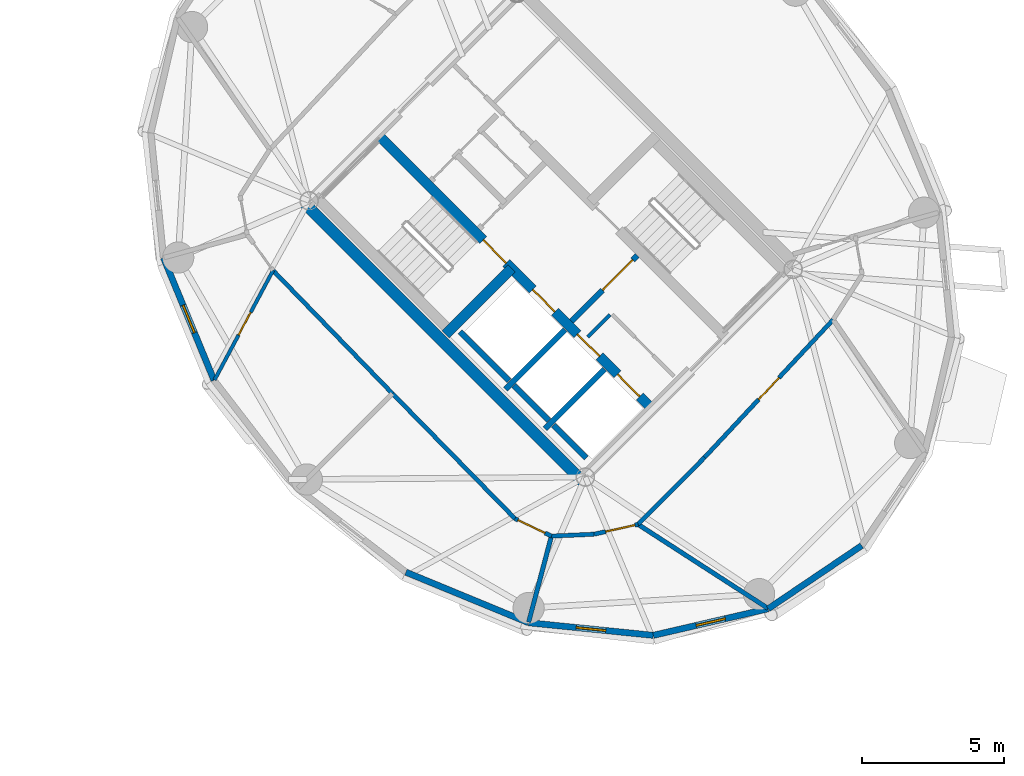
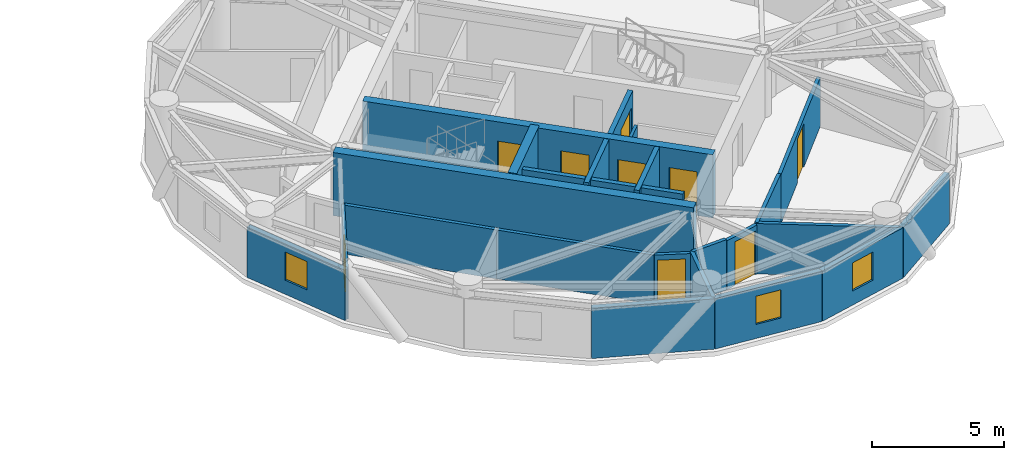
# One storey, part 11 of 17: 25 walls, 9 doors, 3 windows, 12 openings.
"""IFC4 building model written with IfcOpenShell, lengths in metres."""

from ifc_helpers import new_model, si_unit, direction, frame, frame_2d, origin, place, context, subcontext, project, spatial, rectangle, extrude, source, transform, mapped, material, layer, layer_set, type_object, element, fill, save


model = new_model("IFC4")

# Units and contexts
model_context = context("Model", 3, precision=1e-05, world=origin(), true_north=direction((0.0, 1.0)))
body_context = subcontext(model_context, "Body", "Model", "MODEL_VIEW")
ifc_project = project(units=[si_unit("LENGTHUNIT", "METRE"), si_unit("AREAUNIT", "SQUARE_METRE"), si_unit("VOLUMEUNIT", "CUBIC_METRE"), si_unit("PLANEANGLEUNIT", "RADIAN"), si_unit("MASSUNIT", "GRAM", prefix="KILO")], contexts=[model_context])

# Site, building, storey
site_placement = place(None, origin())
site = spatial("IfcSite", under=ifc_project, at=site_placement, CompositionType="ELEMENT")
building_placement = place(site_placement, origin())
building = spatial("IfcBuilding", under=site, at=building_placement, Name="Cununo Teusaquillo Station Towers", CompositionType="ELEMENT")
storey_placement = place(building_placement, frame((0.0, 0.0, 205.389892578125)))
storey = spatial("IfcBuildingStorey", under=building, at=storey_placement, Name="L65", CompositionType="ELEMENT", Elevation=205.389892578125)

# Walls
ifc_material_1 = material(Name="Concrete C50/60", Category="concrete")
ifc_layer_1 = layer(ifc_material_1, 0.199951171875)
ifc_layer_set_1 = layer_set([ifc_layer_1], Name="Concrete C50/60")
wall_type_1 = type_object("IfcWallType", Name="WL-CORE-200", PredefinedType="SHEAR", material=ifc_layer_set_1)
wall_1_placement = place(storey_placement, frame((55.8876953125, 19.0693359375, 0.0), z_axis=(0.0, 0.0, 1.0), x_axis=(0.707106781187, 0.707106781187, 0.0)))
element("IfcWall", 1, at=wall_1_placement, inside=storey, type_object=wall_type_1, Name="L65 Tower B Firefighting Lift Shaft South Shear Wall", PredefinedType="SHEAR", context=body_context, shape_type="SweptSolid", body=[
    extrude(rectangle(XDim=2.969970703125, YDim=0.199951171875, at=frame_2d((1.48486328125, 0.0))), origin(), (0.0, 0.0, 1.0), 2.91015625),
])
wall_2_placement = place(storey_placement, frame((56.01513671875, 19.366455078125, 0.0), z_axis=(0.0, 0.0, 1.0), x_axis=(-0.707106781187, 0.707106781187, 0.0)))
element("IfcWall", 2, at=wall_2_placement, inside=storey, type_object=wall_type_1, Name="L65 Tower B Firefighting Lift Shaft Rear Shear Wall", PredefinedType="SHEAR", context=body_context, shape_type="SweptSolid", body=[
    extrude(rectangle(XDim=2.43994140625, YDim=0.199951171875, at=frame_2d((1.219970703125, 0.0))), origin(), (0.0, 0.0, 1.0), 2.91015625),
])
wall_3_placement = place(storey_placement, frame((57.2841796875, 17.6728515625, 0.0), z_axis=(0.0, 0.0, 1.0), x_axis=(0.707147878904, 0.70706568108, 0.0)))
element("IfcWall", 3, at=wall_3_placement, inside=storey, type_object=wall_type_1, Name="L65 Tower B High-Rise Lift Hoistway Divider Shear Wall", PredefinedType="SHEAR", context=body_context, shape_type="SweptSolid", body=[
    extrude(rectangle(XDim=2.97021484375, YDim=0.199951171875, at=frame_2d((1.485107421875, 0.0))), origin(), (0.0, 0.0, 1.0), 2.91015625),
])
wall_4_placement = place(storey_placement, frame((57.41162109375, 17.969970703125, 0.0), z_axis=(0.0, 0.0, 1.0), x_axis=(-0.707106781187, 0.707106781187, 0.0)))
element("IfcWall", 4, at=wall_4_placement, inside=storey, type_object=wall_type_1, Name="L65 Tower B High-Rise Lift 2 Shaft Rear Shear Wall", PredefinedType="SHEAR", context=body_context, shape_type="SweptSolid", body=[
    extrude(rectangle(XDim=1.73486328125, YDim=0.199951171875, at=frame_2d((0.867431640625, 0.0))), origin(), (0.0, 0.0, 1.0), 2.91015625),
])
wall_5_placement = place(storey_placement, frame((58.7373046875, 16.64404296875, 0.0), z_axis=(0.0, 0.0, 1.0), x_axis=(-0.707032117043, 0.707181437447, 0.0)))
element("IfcWall", 5, at=wall_5_placement, inside=storey, type_object=wall_type_1, Name="L65 Tower B High-Rise Lift 1 Shaft Rear Shear Wall", PredefinedType="SHEAR", context=body_context, shape_type="SweptSolid", body=[
    extrude(rectangle(XDim=1.635009765625, YDim=0.199951171875, at=frame_2d((0.8173828125, 0.0))), origin(), (0.0, 0.0, 1.0), 2.91015625),
])

# Wall, openings, doors
ifc_material_2 = material(Name="Concrete C50/60", Category="concrete")
ifc_layer_2 = layer(ifc_material_2, 0.35009765625)
ifc_layer_set_2 = layer_set([ifc_layer_2], Name="Concrete C50/60")
wall_type_2 = type_object("IfcWallType", Name="WL-CORE-350", PredefinedType="SHEAR", material=ifc_layer_set_2)
wall_6_placement = place(storey_placement, frame((61.060302734375, 18.372802734375, 0.0), z_axis=(0.0, 0.0, 1.0), x_axis=(-0.707106781187, 0.707106781187, 0.0)))
wall_6 = element("IfcWall", 6, at=wall_6_placement, inside=storey, type_object=wall_type_2, Name="L65 Tower B Core Shear Wall IW", PredefinedType="SHEAR", context=body_context, shape_type="SweptSolid", body=[
    extrude(rectangle(XDim=13.7001953125, YDim=0.35009765625, at=frame_2d((6.85009765625, 0.0))), origin(), (0.0, 0.0, 1.0), 2.91015625),
])
shared_shape_1 = source(origin(), body_context, "Body", "SweptSolid", [
    extrude(rectangle(XDim=1.10009765625, YDim=2.014892578125, at=frame_2d((0.550048828125, 1.00732421875))), frame((0.0, 0.18505859375, 0.0), z_axis=(0.0, -1.0, 0.0), x_axis=(1.0, 0.0, 0.0)), (0.0, 0.0, 1.0), 0.3701171875),
])
opening_1_placement = place(wall_6_placement, frame((4.85009765625, 0.0, 0.0)))
opening_1 = element("IfcOpeningElement", 7, at=opening_1_placement, cuts=wall_6, Name="Opening LD-01", PredefinedType="OPENING", context=body_context, shape_type="MappedRepresentation", body=[
    mapped(shared_shape_1, transform((0.0, 0.0, 0.0), x_axis=(1.0, 0.0, 0.0), y_axis=(0.0, 1.0, 0.0), z_axis=(0.0, 0.0, 1.0), scale=1.0)),
])
opening_2_placement = place(wall_6_placement, frame((0.625, 0.0, 0.0)))
opening_2 = element("IfcOpeningElement", 8, at=opening_2_placement, cuts=wall_6, Name="Opening LD-01", PredefinedType="OPENING", context=body_context, shape_type="MappedRepresentation", body=[
    mapped(shared_shape_1, transform((0.0, 0.0, 0.0), x_axis=(1.0, 0.0, 0.0), y_axis=(0.0, 1.0, 0.0), z_axis=(0.0, 0.0, 1.0), scale=1.0)),
])
opening_3_placement = place(wall_6_placement, frame((2.625, 0.0, 0.0)))
opening_3 = element("IfcOpeningElement", 9, at=opening_3_placement, cuts=wall_6, Name="Opening LD-01", PredefinedType="OPENING", context=body_context, shape_type="MappedRepresentation", body=[
    mapped(shared_shape_1, transform((0.0, 0.0, 0.0), x_axis=(1.0, 0.0, 0.0), y_axis=(0.0, 1.0, 0.0), z_axis=(0.0, 0.0, 1.0), scale=1.0)),
])
shared_shape_2 = source(origin(), body_context, "Body", "SweptSolid", [
    extrude(rectangle(XDim=1.14990234375, YDim=2.02001953125, at=frame_2d((0.574951171875, 1.010009765625))), frame((0.0, 0.18505859375, 0.0), z_axis=(0.0, -1.0, 0.0), x_axis=(1.0, 0.0, 0.0)), (0.0, 0.0, 1.0), 0.3701171875),
])
opening_4_placement = place(wall_6_placement, frame((7.27001953125, 0.0, 0.0)))
opening_4 = element("IfcOpeningElement", 10, at=opening_4_placement, cuts=wall_6, Name="Opening D-ST1", PredefinedType="OPENING", context=body_context, shape_type="MappedRepresentation", body=[
    mapped(shared_shape_2, transform((0.0, 0.0, 0.0), x_axis=(1.0, 0.0, 0.0), y_axis=(0.0, 1.0, 0.0), z_axis=(0.0, 0.0, 1.0), scale=1.0)),
])
ifc_material_3 = material(Name="Galvanised fire-rated hollow steel door assembly", Category="steel")
door_type_1 = type_object("IfcDoorType", Name="DR-LIFT-1100", OperationType="SLIDING_TO_LEFT", PredefinedType="DOOR", material=ifc_material_3)
shared_shape_3 = source(origin(), body_context, "Body", "SweptSolid", [
    extrude(rectangle(XDim=1.10009765625, YDim=2.014892578125, at=frame_2d((0.550048828125, 1.00732421875))), frame((0.0, 0.02490234375, 0.0), z_axis=(0.0, -1.0, 0.0), x_axis=(1.0, 0.0, 0.0)), (0.0, 0.0, 1.0), 0.050048828125),
])
door_1_placement = place(opening_1_placement, origin())
door_1 = element("IfcDoor", 11, at=door_1_placement, inside=storey, type_object=door_type_1, Name="L65 Lift FL-T2 Sliding Landing Door", OperationType="SLIDING_TO_LEFT", OverallHeight=2.014892578125, OverallWidth=1.10009765625, PredefinedType="DOOR", context=body_context, shape_type="MappedRepresentation", body=[
    mapped(shared_shape_3, transform((0.0, 0.0, 0.0), x_axis=(1.0, 0.0, 0.0), y_axis=(0.0, 1.0, 0.0), z_axis=(0.0, 0.0, 1.0), scale=1.0)),
])
fill(opening_1, door_1)
door_2_placement = place(opening_2_placement, origin())
door_2 = element("IfcDoor", 12, at=door_2_placement, inside=storey, type_object=door_type_1, Name="L65 Lift PL-T2-H1 Sliding Landing Door", OperationType="SLIDING_TO_LEFT", OverallHeight=2.014892578125, OverallWidth=1.10009765625, PredefinedType="DOOR", context=body_context, shape_type="MappedRepresentation", body=[
    mapped(shared_shape_3, transform((0.0, 0.0, 0.0), x_axis=(1.0, 0.0, 0.0), y_axis=(0.0, 1.0, 0.0), z_axis=(0.0, 0.0, 1.0), scale=1.0)),
])
fill(opening_2, door_2)
door_3_placement = place(opening_3_placement, origin())
door_3 = element("IfcDoor", 13, at=door_3_placement, inside=storey, type_object=door_type_1, Name="L65 Lift PL-T2-H2 Sliding Landing Door", OperationType="SLIDING_TO_RIGHT", OverallHeight=2.014892578125, OverallWidth=1.10009765625, PredefinedType="DOOR", context=body_context, shape_type="MappedRepresentation", body=[
    mapped(shared_shape_3, transform((0.0, 0.0, 0.0), x_axis=(1.0, 0.0, 0.0), y_axis=(0.0, 1.0, 0.0), z_axis=(0.0, 0.0, 1.0), scale=1.0)),
])
fill(opening_3, door_3)
ifc_material_4 = material(Name="Galvanised fire-rated hollow steel door assembly", Category="steel")
door_type_2 = type_object("IfcDoorType", Name="DR-STAIR-1150", OperationType="NOTDEFINED", PredefinedType="DOOR", material=ifc_material_4)
shared_shape_4 = source(origin(), body_context, "Body", "SweptSolid", [
    extrude(rectangle(XDim=1.14990234375, YDim=2.02001953125, at=frame_2d((0.574951171875, 1.010009765625))), frame((0.0, 0.02490234375, 0.0), z_axis=(0.0, -1.0, 0.0), x_axis=(1.0, 0.0, 0.0)), (0.0, 0.0, 1.0), 0.050048828125),
])
door_4_placement = place(opening_4_placement, origin())
door_4 = element("IfcDoor", 14, at=door_4_placement, inside=storey, type_object=door_type_2, Name="L65 Tower B Exit Stair 1 Fire Door", OperationType="SINGLE_SWING_LEFT", OverallHeight=2.02001953125, OverallWidth=1.14990234375, PredefinedType="DOOR", context=body_context, shape_type="MappedRepresentation", body=[
    mapped(shared_shape_4, transform((0.0, 0.0, 0.0), x_axis=(1.0, 0.0, 0.0), y_axis=(0.0, 1.0, 0.0), z_axis=(0.0, 0.0, 1.0), scale=1.0)),
])
fill(opening_4, door_4)

# Walls
wall_7_placement = place(storey_placement, frame((53.7841796875, 21.00341796875, 0.0), z_axis=(0.0, 0.0, 1.0), x_axis=(0.707106781187, 0.707106781187, 0.0)))
element("IfcWall", 15, at=wall_7_placement, inside=storey, type_object=wall_type_2, Name="L65 Tower B Core Shear Wall ST1S", PredefinedType="SHEAR", context=body_context, shape_type="SweptSolid", body=[
    extrude(rectangle(XDim=3.284912109375, YDim=0.35009765625, at=frame_2d((1.642578125, 0.0))), origin(), (0.0, 0.0, 1.0), 2.91015625),
])
ifc_material_5 = material(Name="Concrete C50/60", Category="concrete")
ifc_layer_3 = layer(ifc_material_5, 0.39990234375)
ifc_layer_set_3 = layer_set([ifc_layer_3], Name="Concrete C50/60")
wall_type_3 = type_object("IfcWallType", Name="WL-CORE-400", PredefinedType="SHEAR", material=ifc_layer_set_3)
wall_8_placement = place(storey_placement, frame((58.7021484375, 15.73193359375, 0.0), z_axis=(0.0, 0.0, 1.0), x_axis=(-0.707106781187, 0.707106781187, 0.0)))
element("IfcWall", 16, at=wall_8_placement, inside=storey, type_object=wall_type_3, Name="L65 Tower B Core Shear Wall W", PredefinedType="SHEAR", context=body_context, shape_type="SweptSolid", body=[
    extrude(rectangle(XDim=14.10009765625, YDim=0.39990234375, at=frame_2d((7.050048828125, 0.0))), origin(), (0.0, 0.0, 1.0), 2.91015625),
])

# Wall, opening, window
ifc_material_6 = material(Name="Precast concrete C40/50", Category="concrete")
ifc_layer_4 = layer(ifc_material_6, 0.219970703125)
ifc_layer_set_4 = layer_set([ifc_layer_4], Name="Precast concrete C40/50")
wall_type_4 = type_object("IfcWallType", Name="WL-EXT-220", PredefinedType="SOLIDWALL", material=ifc_layer_set_4)
wall_9_placement = place(storey_placement, frame((45.626220703125, 19.38671875, 0.0), z_axis=(0.0, 0.0, 1.0), x_axis=(-0.381309704956, 0.924447353237, 0.0)))
wall_9 = element("IfcWall", 17, at=wall_9_placement, inside=storey, type_object=wall_type_4, Name="L65 Tower B Exterior Facade Wall C08", PredefinedType="SOLIDWALL", context=body_context, shape_type="SweptSolid", body=[
    extrude(rectangle(XDim=4.670654296875, YDim=0.219970703125, at=frame_2d((2.33544921875, 0.0))), origin(), (0.0, 0.0, 1.0), 2.322021484375),
])
shared_shape_5 = source(origin(), body_context, "Body", "SweptSolid", [
    extrude(rectangle(XDim=1.050048828125, YDim=1.300048828125, at=frame_2d((0.52490234375, 0.64990234375))), frame((0.0, 0.119873046875, 0.0), z_axis=(0.0, -1.0, 0.0), x_axis=(1.0, 0.0, 0.0)), (0.0, 0.0, 1.0), 0.239990234375),
])
opening_5_placement = place(wall_9_placement, frame((1.81005859375, 0.0, 0.64990234375)))
opening_5 = element("IfcOpeningElement", 18, at=opening_5_placement, cuts=wall_9, Name="Opening WN-04", PredefinedType="OPENING", context=body_context, shape_type="MappedRepresentation", body=[
    mapped(shared_shape_5, transform((0.0, 0.0, 0.0), x_axis=(1.0, 0.0, 0.0), y_axis=(0.0, 1.0, 0.0), z_axis=(0.0, 0.0, 1.0), scale=1.0)),
])
ifc_material_7 = material(Name="Operable acoustic tinted low-E double glazing", Category="glass")
window_type = type_object("IfcWindowType", Name="WIN-BAL-1050", PartitioningType="SINGLE_PANEL", PredefinedType="WINDOW", material=ifc_material_7)
shared_shape_6 = source(origin(), body_context, "Body", "SweptSolid", [
    extrude(rectangle(XDim=1.050048828125, YDim=1.300048828125, at=frame_2d((0.52490234375, 0.64990234375))), frame((0.0, 0.030029296875, 0.0), z_axis=(0.0, -1.0, 0.0), x_axis=(1.0, 0.0, 0.0)), (0.0, 0.0, 1.0), 0.06005859375),
])
window_1_placement = place(opening_5_placement, origin())
window_1 = element("IfcWindow", 19, at=window_1_placement, inside=storey, type_object=window_type, Name="L65 Tower B Facade Window C08", OverallHeight=1.300048828125, OverallWidth=1.050048828125, PartitioningType="SINGLE_PANEL", PredefinedType="WINDOW", context=body_context, shape_type="MappedRepresentation", body=[
    mapped(shared_shape_6, transform((0.0, 0.0, 0.0), x_axis=(1.0, 0.0, 0.0), y_axis=(0.0, 1.0, 0.0), z_axis=(0.0, 0.0, 1.0), scale=1.0)),
])
fill(opening_5, window_1)

# Wall
wall_10_placement = place(storey_placement, frame((56.70458984375, 10.84521484375, 0.0), z_axis=(0.0, 0.0, 1.0), x_axis=(-0.924447353237, 0.381309704956, 0.0)))
element("IfcWall", 20, at=wall_10_placement, inside=storey, type_object=wall_type_4, Name="L65 Tower B Exterior Facade Wall C11", PredefinedType="SOLIDWALL", context=body_context, shape_type="SweptSolid", body=[
    extrude(rectangle(XDim=4.670654296875, YDim=0.219970703125, at=frame_2d((2.33544921875, 0.0))), origin(), (0.0, 0.0, 1.0), 2.322021484375),
])

# Wall, opening, window
wall_11_placement = place(storey_placement, frame((61.100341796875, 10.40087890625, 0.0), z_axis=(0.0, 0.0, 1.0), x_axis=(-0.994929930991, 0.100570534541, 0.0)))
wall_11 = element("IfcWall", 21, at=wall_11_placement, inside=storey, type_object=wall_type_4, Name="L65 Tower B Exterior Facade Wall C12", PredefinedType="SOLIDWALL", context=body_context, shape_type="SweptSolid", body=[
    extrude(rectangle(XDim=4.418212890625, YDim=0.219970703125, at=frame_2d((2.208984375, 0.0))), origin(), (0.0, 0.0, 1.0), 2.322021484375),
])
opening_6_placement = place(wall_11_placement, frame((1.68408203125, 0.0, 0.64990234375)))
opening_6 = element("IfcOpeningElement", 22, at=opening_6_placement, cuts=wall_11, Name="Opening WN-04", PredefinedType="OPENING", context=body_context, shape_type="MappedRepresentation", body=[
    mapped(shared_shape_5, transform((0.0, 0.0, 0.0), x_axis=(1.0, 0.0, 0.0), y_axis=(0.0, 1.0, 0.0), z_axis=(0.0, 0.0, 1.0), scale=1.0)),
])
window_2_placement = place(opening_6_placement, origin())
window_2 = element("IfcWindow", 23, at=window_2_placement, inside=storey, type_object=window_type, Name="L65 Tower B Facade Window C12", OverallHeight=1.300048828125, OverallWidth=1.050048828125, PartitioningType="SINGLE_PANEL", PredefinedType="WINDOW", context=body_context, shape_type="MappedRepresentation", body=[
    mapped(shared_shape_6, transform((0.0, 0.0, 0.0), x_axis=(1.0, 0.0, 0.0), y_axis=(0.0, 1.0, 0.0), z_axis=(0.0, 0.0, 1.0), scale=1.0)),
])
fill(opening_6, window_2)

wall_12_placement = place(storey_placement, frame((65.143798828125, 11.336669921875, 0.0), z_axis=(0.0, 0.0, 1.0), x_axis=(-0.974249228678, -0.225473813158, 0.0)))
wall_12 = element("IfcWall", 24, at=wall_12_placement, inside=storey, type_object=wall_type_4, Name="L65 Tower B Exterior Facade Wall C13", PredefinedType="SOLIDWALL", context=body_context, shape_type="SweptSolid", body=[
    extrude(rectangle(XDim=4.150390625, YDim=0.219970703125, at=frame_2d((2.0751953125, 0.0))), origin(), (0.0, 0.0, 1.0), 2.322021484375),
])
opening_7_placement = place(wall_12_placement, frame((1.550048828125, 0.0, 0.64990234375)))
opening_7 = element("IfcOpeningElement", 25, at=opening_7_placement, cuts=wall_12, Name="Opening WN-04", PredefinedType="OPENING", context=body_context, shape_type="MappedRepresentation", body=[
    mapped(shared_shape_5, transform((0.0, 0.0, 0.0), x_axis=(1.0, 0.0, 0.0), y_axis=(0.0, 1.0, 0.0), z_axis=(0.0, 0.0, 1.0), scale=1.0)),
])
window_3_placement = place(opening_7_placement, origin())
window_3 = element("IfcWindow", 26, at=window_3_placement, inside=storey, type_object=window_type, Name="L65 Tower B Facade Window C13", OverallHeight=1.300048828125, OverallWidth=1.050048828125, PartitioningType="SINGLE_PANEL", PredefinedType="WINDOW", context=body_context, shape_type="MappedRepresentation", body=[
    mapped(shared_shape_6, transform((0.0, 0.0, 0.0), x_axis=(1.0, 0.0, 0.0), y_axis=(0.0, 1.0, 0.0), z_axis=(0.0, 0.0, 1.0), scale=1.0)),
])
fill(opening_7, window_3)

# Walls
wall_13_placement = place(storey_placement, frame((68.43896484375, 13.56103515625, 0.0), z_axis=(0.0, 0.0, 1.0), x_axis=(-0.828833723692, -0.559495003079, 0.0)))
element("IfcWall", 27, at=wall_13_placement, inside=storey, type_object=wall_type_4, Name="L65 Tower B Exterior Facade Wall C14", PredefinedType="SOLIDWALL", context=body_context, shape_type="SweptSolid", body=[
    extrude(rectangle(XDim=3.9755859375, YDim=0.219970703125, at=frame_2d((1.98779296875, 0.0))), origin(), (0.0, 0.0, 1.0), 2.322021484375),
])
ifc_material_8 = material(Name="Fire-rated gypsum plasterboard partition assembly", Category="gypsum")
ifc_layer_5 = layer(ifc_material_8, 0.125)
ifc_layer_set_5 = layer_set([ifc_layer_5], Name="Fire-rated gypsum plasterboard partition assembly")
wall_type_5 = type_object("IfcWallType", Name="WL-PART-125", PredefinedType="PARTITIONING", material=ifc_layer_set_5)
wall_14_placement = place(storey_placement, frame((58.7939453125, 20.9150390625, 0.0), z_axis=(0.0, 0.0, 1.0), x_axis=(0.707106781187, 0.707106781187, 0.0)))
element("IfcWall", 28, at=wall_14_placement, inside=storey, type_object=wall_type_5, Name="L65 Tower B South-West Tall Store North Wall", PredefinedType="PARTITIONING", context=body_context, shape_type="SweptSolid", body=[
    extrude(rectangle(XDim=1.10009765625, YDim=0.125, at=frame_2d((0.550048828125, 0.0))), origin(), (0.0, 0.0, 1.0), 2.68505859375),
])

# Wall, opening, door
wall_15_placement = place(storey_placement, frame((47.70556640625, 23.253173828125, 0.0), z_axis=(0.0, 0.0, 1.0), x_axis=(-0.471384756618, -0.881927667799, 0.0)))
wall_15 = element("IfcWall", 29, at=wall_15_placement, inside=storey, type_object=wall_type_5, Name="L65 Tower B Visiting Envoy Briefing Room Suite Subdividing Wall", PredefinedType="PARTITIONING", context=body_context, shape_type="SweptSolid", body=[
    extrude(rectangle(XDim=4.373779296875, YDim=0.125, at=frame_2d((2.18701171875, 0.0))), origin(), (0.0, 0.0, 1.0), 2.255126953125),
])
shared_shape_7 = source(origin(), body_context, "Body", "SweptSolid", [
    extrude(rectangle(XDim=0.89990234375, YDim=2.0048828125, at=frame_2d((0.449951171875, 1.00244140625))), frame((0.0, 0.072509765625, 0.0), z_axis=(0.0, -1.0, 0.0), x_axis=(1.0, 0.0, 0.0)), (0.0, 0.0, 1.0), 0.14501953125),
])
opening_8_placement = place(wall_15_placement, frame((1.673828125, 0.0, 0.0)))
opening_8 = element("IfcOpeningElement", 30, at=opening_8_placement, cuts=wall_15, Name="Opening D-IN1", PredefinedType="OPENING", context=body_context, shape_type="MappedRepresentation", body=[
    mapped(shared_shape_7, transform((0.0, 0.0, 0.0), x_axis=(1.0, 0.0, 0.0), y_axis=(0.0, 1.0, 0.0), z_axis=(0.0, 0.0, 1.0), scale=1.0)),
])
ifc_material_9 = material(Name="Acoustic solid-core hardwood leaf assembly", Category="wood")
door_type_3 = type_object("IfcDoorType", Name="DR-INT-900", OperationType="NOTDEFINED", PredefinedType="DOOR", material=ifc_material_9)
shared_shape_8 = source(origin(), body_context, "Body", "SweptSolid", [
    extrude(rectangle(XDim=0.89990234375, YDim=2.0048828125, at=frame_2d((0.449951171875, 1.00244140625))), frame((0.0, 0.02490234375, 0.0), z_axis=(0.0, -1.0, 0.0), x_axis=(1.0, 0.0, 0.0)), (0.0, 0.0, 1.0), 0.050048828125),
])
door_5_placement = place(opening_8_placement, origin())
door_5 = element("IfcDoor", 31, at=door_5_placement, inside=storey, type_object=door_type_3, Name="L65 Tower B Visiting Envoy Briefing Room Suite Connecting Door", OperationType="SINGLE_SWING_LEFT", OverallHeight=2.0048828125, OverallWidth=0.89990234375, PredefinedType="DOOR", context=body_context, shape_type="MappedRepresentation", body=[
    mapped(shared_shape_8, transform((0.0, 0.0, 0.0), x_axis=(1.0, 0.0, 0.0), y_axis=(0.0, 1.0, 0.0), z_axis=(0.0, 0.0, 1.0), scale=1.0)),
])
fill(opening_8, door_5)

# Walls
ifc_material_10 = material(Name="Fire-rated gypsum plasterboard partition assembly", Category="gypsum")
ifc_layer_6 = layer(ifc_material_10, 0.14990234375)
ifc_layer_set_6 = layer_set([ifc_layer_6], Name="Fire-rated gypsum plasterboard partition assembly")
wall_type_6 = type_object("IfcWallType", Name="WL-PART-150", PredefinedType="PARTITIONING", material=ifc_layer_set_6)
wall_16_placement = place(storey_placement, frame((47.70556640625, 23.253173828125, 0.0), z_axis=(0.0, 0.0, 1.0), x_axis=(0.696179266346, -0.717867974707, 0.0)))
element("IfcWall", 32, at=wall_16_placement, inside=storey, type_object=wall_type_6, Name="L65 Tower B Corridor Ring Wall C09", PredefinedType="PARTITIONING", context=body_context, shape_type="SweptSolid", body=[
    extrude(rectangle(XDim=6.044677734375, YDim=0.14990234375, at=frame_2d((3.0224609375, 0.0))), origin(), (0.0, 0.0, 1.0), 2.255126953125),
])
wall_17_placement = place(storey_placement, frame((51.913818359375, 18.913818359375, 0.0), z_axis=(0.0, 0.0, 1.0), x_axis=(0.699999313799, -0.714143515465, 0.0)))
element("IfcWall", 33, at=wall_17_placement, inside=storey, type_object=wall_type_6, Name="L65 Tower B Corridor Ring Wall C10", PredefinedType="PARTITIONING", context=body_context, shape_type="SweptSolid", body=[
    extrude(rectangle(XDim=6.162109375, YDim=0.14990234375, at=frame_2d((3.0810546875, 0.0))), origin(), (0.0, 0.0, 1.0), 2.255126953125),
])

# Wall, opening, door
wall_18_placement = place(storey_placement, frame((56.227294921875, 14.51318359375, 0.0), z_axis=(0.0, 0.0, 1.0), x_axis=(0.901477579283, -0.432825801044, 0.0)))
wall_18 = element("IfcWall", 34, at=wall_18_placement, inside=storey, type_object=wall_type_6, Name="L65 Tower B Corridor Ring Wall C11", PredefinedType="PARTITIONING", context=body_context, shape_type="SweptSolid", body=[
    extrude(rectangle(XDim=1.42431640625, YDim=0.14990234375, at=frame_2d((0.712158203125, 0.0))), origin(), (0.0, 0.0, 1.0), 2.255126953125),
])
shared_shape_9 = source(origin(), body_context, "Body", "SweptSolid", [
    extrude(rectangle(XDim=1.050048828125, YDim=2.014892578125, at=frame_2d((0.52490234375, 1.00732421875))), frame((0.0, 0.0849609375, 0.0), z_axis=(0.0, -1.0, 0.0), x_axis=(1.0, 0.0, 0.0)), (0.0, 0.0, 1.0), 0.169921875),
])
opening_9_placement = place(wall_18_placement, frame((0.1201171875, 0.0, 0.0)))
opening_9 = element("IfcOpeningElement", 35, at=opening_9_placement, cuts=wall_18, Name="Opening D-SU1", PredefinedType="OPENING", context=body_context, shape_type="MappedRepresentation", body=[
    mapped(shared_shape_9, transform((0.0, 0.0, 0.0), x_axis=(1.0, 0.0, 0.0), y_axis=(0.0, 1.0, 0.0), z_axis=(0.0, 0.0, 1.0), scale=1.0)),
])
ifc_material_11 = material(Name="Acoustic solid-core hardwood leaf assembly", Category="wood")
door_type_4 = type_object("IfcDoorType", Name="DR-SUITE-1050", OperationType="NOTDEFINED", PredefinedType="DOOR", material=ifc_material_11)
shared_shape_10 = source(origin(), body_context, "Body", "SweptSolid", [
    extrude(rectangle(XDim=1.050048828125, YDim=2.014892578125, at=frame_2d((0.52490234375, 1.00732421875))), frame((0.0, 0.02490234375, 0.0), z_axis=(0.0, -1.0, 0.0), x_axis=(1.0, 0.0, 0.0)), (0.0, 0.0, 1.0), 0.050048828125),
])
door_6_placement = place(opening_9_placement, origin())
door_6 = element("IfcDoor", 36, at=door_6_placement, inside=storey, type_object=door_type_4, Name="L65 Tower B Fellows Research Library Entrance Door", OperationType="SINGLE_SWING_RIGHT", OverallHeight=2.014892578125, OverallWidth=1.050048828125, PredefinedType="DOOR", context=body_context, shape_type="MappedRepresentation", body=[
    mapped(shared_shape_10, transform((0.0, 0.0, 0.0), x_axis=(1.0, 0.0, 0.0), y_axis=(0.0, 1.0, 0.0), z_axis=(0.0, 0.0, 1.0), scale=1.0)),
])
fill(opening_9, door_6)

# Wall
wall_19_placement = place(storey_placement, frame((57.51123046875, 13.896728515625, 0.0), z_axis=(0.0, 0.0, 1.0), x_axis=(0.999024538494, 0.044158481476, 0.0)))
element("IfcWall", 37, at=wall_19_placement, inside=storey, type_object=wall_type_6, Name="L65 Tower B Corridor Ring Wall C12", PredefinedType="PARTITIONING", context=body_context, shape_type="SweptSolid", body=[
    extrude(rectangle(XDim=1.498291015625, YDim=0.14990234375, at=frame_2d((0.7490234375, 0.0))), origin(), (0.0, 0.0, 1.0), 2.322021484375),
])

# Wall, opening, door
wall_20_placement = place(storey_placement, frame((59.008056640625, 13.962890625, 0.0), z_axis=(0.0, 0.0, 1.0), x_axis=(0.976020856791, 0.21767702476, 0.0)))
wall_20 = element("IfcWall", 38, at=wall_20_placement, inside=storey, type_object=wall_type_6, Name="L65 Tower B Corridor Ring Wall C13", PredefinedType="PARTITIONING", context=body_context, shape_type="SweptSolid", body=[
    extrude(rectangle(XDim=1.592529296875, YDim=0.14990234375, at=frame_2d((0.79638671875, 0.0))), origin(), (0.0, 0.0, 1.0), 2.255126953125),
])
opening_10_placement = place(wall_20_placement, frame((0.4228515625, 0.0, 0.0)))
opening_10 = element("IfcOpeningElement", 39, at=opening_10_placement, cuts=wall_20, Name="Opening D-SU1", PredefinedType="OPENING", context=body_context, shape_type="MappedRepresentation", body=[
    mapped(shared_shape_9, transform((0.0, 0.0, 0.0), x_axis=(1.0, 0.0, 0.0), y_axis=(0.0, 1.0, 0.0), z_axis=(0.0, 0.0, 1.0), scale=1.0)),
])
door_7_placement = place(opening_10_placement, origin())
door_7 = element("IfcDoor", 40, at=door_7_placement, inside=storey, type_object=door_type_4, Name="L65 Tower B Summit Catering Pantry Entrance Door", OperationType="SINGLE_SWING_LEFT", OverallHeight=2.014892578125, OverallWidth=1.050048828125, PredefinedType="DOOR", context=body_context, shape_type="MappedRepresentation", body=[
    mapped(shared_shape_10, transform((0.0, 0.0, 0.0), x_axis=(1.0, 0.0, 0.0), y_axis=(0.0, 1.0, 0.0), z_axis=(0.0, 0.0, 1.0), scale=1.0)),
])
fill(opening_10, door_7)

# Wall
wall_21_placement = place(storey_placement, frame((60.5625, 14.3095703125, 0.0), z_axis=(0.0, 0.0, 1.0), x_axis=(0.704566236161, 0.709638230975, 0.0)))
element("IfcWall", 41, at=wall_21_placement, inside=storey, type_object=wall_type_6, Name="L65 Tower B Corridor Ring Wall C14", PredefinedType="PARTITIONING", context=body_context, shape_type="SweptSolid", body=[
    extrude(rectangle(XDim=3.3212890625, YDim=0.14990234375, at=frame_2d((1.66064453125, 0.0))), origin(), (0.0, 0.0, 1.0), 2.322021484375),
])

# Wall, opening, door
wall_22_placement = place(storey_placement, frame((62.902587890625, 16.66650390625, 0.0), z_axis=(0.0, 0.0, 1.0), x_axis=(0.682371947497, 0.731005147225, 0.0)))
wall_22 = element("IfcWall", 42, at=wall_22_placement, inside=storey, type_object=wall_type_6, Name="L65 Tower B Corridor Ring Wall C15", PredefinedType="PARTITIONING", context=body_context, shape_type="SweptSolid", body=[
    extrude(rectangle(XDim=6.6416015625, YDim=0.14990234375, at=frame_2d((3.32080078125, 0.0))), origin(), (0.0, 0.0, 1.0), 2.255126953125),
])
opening_11_placement = place(wall_22_placement, frame((2.7958984375, 0.0, 0.0)))
opening_11 = element("IfcOpeningElement", 43, at=opening_11_placement, cuts=wall_22, Name="Opening D-SU1", PredefinedType="OPENING", context=body_context, shape_type="MappedRepresentation", body=[
    mapped(shared_shape_9, transform((0.0, 0.0, 0.0), x_axis=(1.0, 0.0, 0.0), y_axis=(0.0, 1.0, 0.0), z_axis=(0.0, 0.0, 1.0), scale=1.0)),
])
door_8_placement = place(opening_11_placement, origin())
door_8 = element("IfcDoor", 44, at=door_8_placement, inside=storey, type_object=door_type_4, Name="L65 Tower B Protocol Archive Room Entrance Door", OperationType="SINGLE_SWING_RIGHT", OverallHeight=2.014892578125, OverallWidth=1.050048828125, PredefinedType="DOOR", context=body_context, shape_type="MappedRepresentation", body=[
    mapped(shared_shape_10, transform((0.0, 0.0, 0.0), x_axis=(1.0, 0.0, 0.0), y_axis=(0.0, 1.0, 0.0), z_axis=(0.0, 0.0, 1.0), scale=1.0)),
])
fill(opening_11, door_8)

# Walls
ifc_material_12 = material(Name="Fire-rated gypsum plasterboard partition assembly", Category="gypsum")
ifc_layer_7 = layer(ifc_material_12, 0.159912109375)
ifc_layer_set_7 = layer_set([ifc_layer_7], Name="Fire-rated gypsum plasterboard partition assembly")
wall_type_7 = type_object("IfcWallType", Name="WL-PART-160", PredefinedType="PARTITIONING", material=ifc_layer_set_7)
wall_23_placement = place(storey_placement, frame((57.51123046875, 13.896728515625, 0.0), z_axis=(0.0, 0.0, 1.0), x_axis=(-0.256174967125, -0.966630428974, 0.0)))
element("IfcWall", 45, at=wall_23_placement, inside=storey, type_object=wall_type_7, Name="L65 Tower B Radial Suite Partition R06", PredefinedType="PARTITIONING", context=body_context, shape_type="SweptSolid", body=[
    extrude(rectangle(XDim=3.136474609375, YDim=0.159912109375, at=frame_2d((1.568359375, 0.0))), origin(), (0.0, 0.0, 1.0), 2.322021484375),
])
wall_24_placement = place(storey_placement, frame((60.5625, 14.3095703125, 0.0), z_axis=(0.0, 0.0, 1.0), x_axis=(0.839858797161, -0.542804938105, 0.0)))
element("IfcWall", 46, at=wall_24_placement, inside=storey, type_object=wall_type_7, Name="L65 Tower B Radial Suite Partition R07", PredefinedType="PARTITIONING", context=body_context, shape_type="SweptSolid", body=[
    extrude(rectangle(XDim=5.444091796875, YDim=0.159912109375, at=frame_2d((2.72216796875, 0.0))), origin(), (0.0, 0.0, 1.0), 2.322021484375),
])

# Wall, opening, door
ifc_material_13 = material(Name="Fire-rated gypsum plasterboard partition assembly", Category="gypsum")
ifc_layer_8 = layer(ifc_material_13, 0.199951171875)
ifc_layer_set_8 = layer_set([ifc_layer_8], Name="Fire-rated gypsum plasterboard partition assembly")
wall_type_8 = type_object("IfcWallType", Name="WL-PART-200", PredefinedType="PARTITIONING", material=ifc_layer_set_8)
wall_25_placement = place(storey_placement, frame((58.214111328125, 21.466552734375, 0.0), z_axis=(0.0, 0.0, 1.0), x_axis=(0.707106781187, 0.707106781187, 0.0)))
wall_25 = element("IfcWall", 47, at=wall_25_placement, inside=storey, type_object=wall_type_8, Name="L65 Tower B Firefighting Lift Lobby South Fire Wall", PredefinedType="PARTITIONING", context=body_context, shape_type="SweptSolid", body=[
    extrude(rectangle(XDim=3.280029296875, YDim=0.199951171875, at=frame_2d((1.64013671875, 0.0))), origin(), (0.0, 0.0, 1.0), 2.68505859375),
])
shared_shape_11 = source(origin(), body_context, "Body", "SweptSolid", [
    extrude(rectangle(XDim=1.5, YDim=2.02001953125, at=frame_2d((0.75, 1.010009765625))), frame((0.0, 0.10986328125, 0.0), z_axis=(0.0, -1.0, 0.0), x_axis=(1.0, 0.0, 0.0)), (0.0, 0.0, 1.0), 0.219970703125),
])
opening_12_placement = place(wall_25_placement, frame((1.550048828125, 0.0, 0.0)))
opening_12 = element("IfcOpeningElement", 48, at=opening_12_placement, cuts=wall_25, Name="Opening D-LB1", PredefinedType="OPENING", context=body_context, shape_type="MappedRepresentation", body=[
    mapped(shared_shape_11, transform((0.0, 0.0, 0.0), x_axis=(1.0, 0.0, 0.0), y_axis=(0.0, 1.0, 0.0), z_axis=(0.0, 0.0, 1.0), scale=1.0)),
])
ifc_material_14 = material(Name="Galvanised fire-rated hollow steel door assembly", Category="steel")
door_type_5 = type_object("IfcDoorType", Name="DR-LOBBY-1500", OperationType="DOUBLE_DOOR_SINGLE_SWING", PredefinedType="DOOR", material=ifc_material_14)
shared_shape_12 = source(origin(), body_context, "Body", "SweptSolid", [
    extrude(rectangle(XDim=1.5, YDim=2.02001953125, at=frame_2d((0.75, 1.010009765625))), frame((0.0, 0.02490234375, 0.0), z_axis=(0.0, -1.0, 0.0), x_axis=(1.0, 0.0, 0.0)), (0.0, 0.0, 1.0), 0.050048828125),
])
door_9_placement = place(opening_12_placement, origin())
door_9 = element("IfcDoor", 49, at=door_9_placement, inside=storey, type_object=door_type_5, Name="L65 Tower B Firefighting Lift Lobby South Fire Door", OperationType="DOUBLE_DOOR_SINGLE_SWING", OverallHeight=2.02001953125, OverallWidth=1.5, PredefinedType="DOOR", context=body_context, shape_type="MappedRepresentation", body=[
    mapped(shared_shape_12, transform((0.0, 0.0, 0.0), x_axis=(1.0, 0.0, 0.0), y_axis=(0.0, 1.0, 0.0), z_axis=(0.0, 0.0, 1.0), scale=1.0)),
])
fill(opening_12, door_9)

save(model, "model.ifc")
